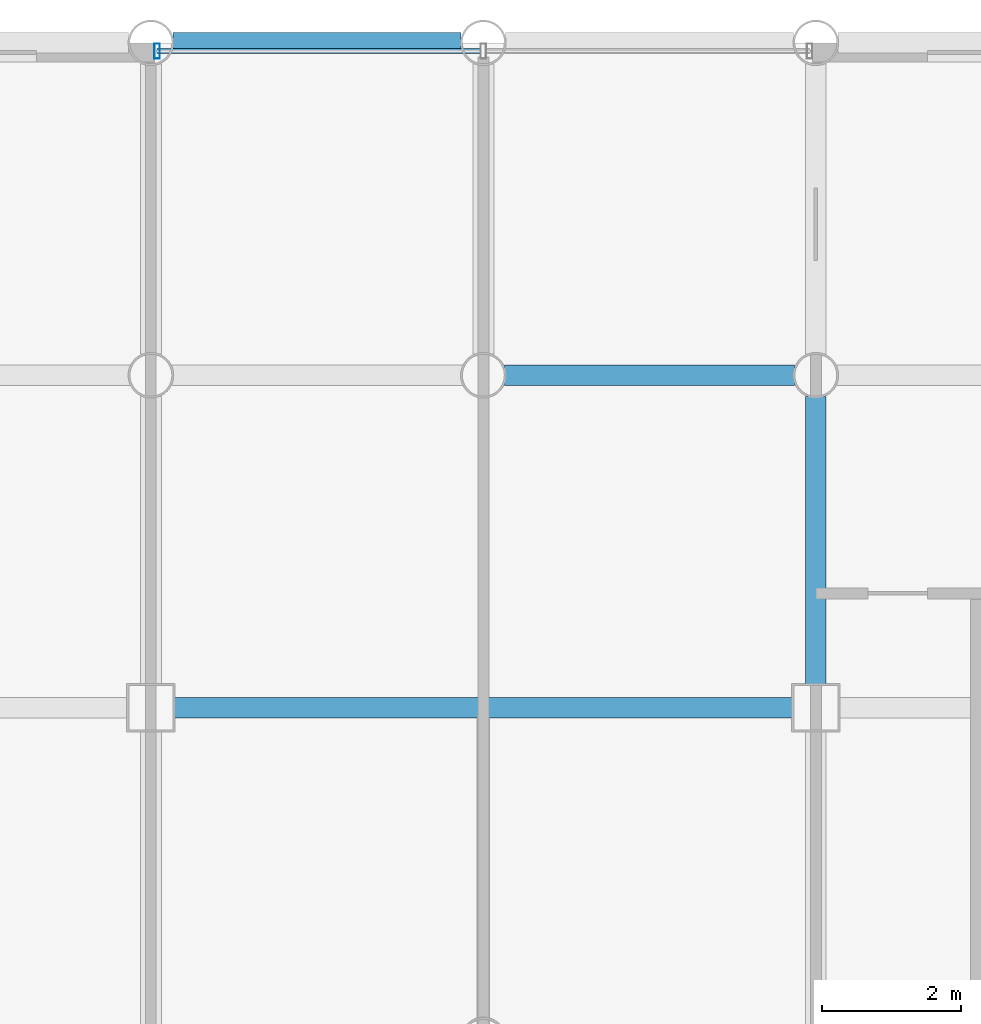
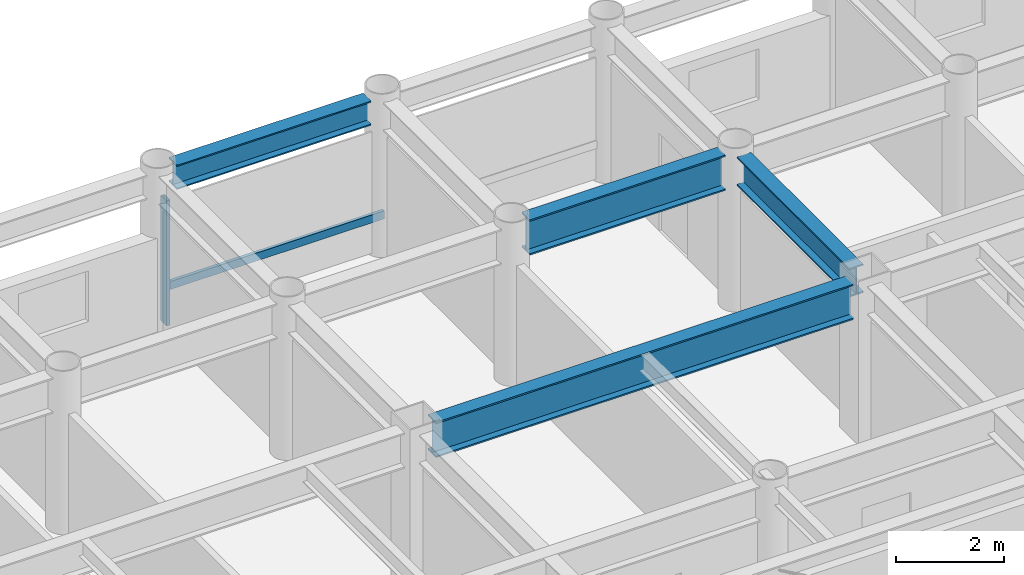
# One storey, part 12 of 20: 4 beams, 2 members, 1 element without a shape of its own.
"""IFC4 building model written with IfcOpenShell, lengths in metres."""

from ifc_helpers import new_model, si_unit, direction, frame, origin, origin_2d, place, context, subcontext, project, spatial, hollow_rectangle, i_section, extrude, material, layer, layer_set, material_profile, profile_set, type_object, element, aggregate, save


model = new_model("IFC4")

# Units and contexts
model_context = context("Model", 3, precision=1e-05, world=origin(), true_north=direction((0.0, 1.0)))
body_context = subcontext(model_context, "Body", "Model", "MODEL_VIEW")
ifc_project = project(units=[si_unit("LENGTHUNIT", "METRE"), si_unit("AREAUNIT", "SQUARE_METRE"), si_unit("VOLUMEUNIT", "CUBIC_METRE"), si_unit("PLANEANGLEUNIT", "RADIAN"), si_unit("MASSUNIT", "GRAM", prefix="KILO")], contexts=[model_context])

# Site, building, storey
site_placement = place(None, origin())
site = spatial("IfcSite", under=ifc_project, at=site_placement, CompositionType="ELEMENT")
building_placement = place(site_placement, origin())
building = spatial("IfcBuilding", under=site, at=building_placement, Name="Kallvorn Hotel Tower", CompositionType="ELEMENT")
storey_placement = place(building_placement, frame((0.0, 0.0, 135.89990234375)))
storey = spatial("IfcBuildingStorey", under=building, at=storey_placement, Name="L33", CompositionType="ELEMENT", Elevation=135.89990234375)

# Beams
ifc_material_1 = material(Name="Structural steel S355JR", Category="steel")
ifc_material_profile_1 = material_profile(ifc_material_1, i_section(OverallWidth=0.300048828125, OverallDepth=0.550048828125, WebThickness=0.014892578125, FlangeThickness=0.029052734375, at=origin_2d()), Name="HE 550 B")
ifc_profile_set_1 = profile_set([ifc_material_profile_1], Name="Structural steel S355JR")
beam_type_1 = type_object("IfcBeamType", Name="BM_HE550B", PredefinedType="SPANDREL", material=ifc_profile_set_1)
beam_1_placement = place(storey_placement, frame((-4.47998046875, 24.0, 3.2451171875), z_axis=(1.0, 0.0, 0.0), x_axis=(0.0, 1.0, 0.0)))
element("IfcBeam", 1, at=beam_1_placement, inside=storey, type_object=beam_type_1, Name="L34 Perimeter Spandrel 168", PredefinedType="SPANDREL", context=body_context, shape_type="SweptSolid", body=[
    extrude(i_section(OverallWidth=0.300048828125, OverallDepth=0.550048828125, WebThickness=0.014892578125, FlangeThickness=0.029052734375, at=origin_2d()), origin(), (0.0, 0.0, 1.0), 4.159912109375),
])
ifc_material_2 = material(Name="Structural steel S355JR", Category="steel")
ifc_material_profile_2 = material_profile(ifc_material_2, i_section(OverallWidth=0.300048828125, OverallDepth=0.64990234375, WebThickness=0.01611328125, FlangeThickness=0.031005859375, at=origin_2d()), Name="HE 650 B")
ifc_profile_set_2 = profile_set([ifc_material_profile_2], Name="Structural steel S355JR")
beam_type_2 = type_object("IfcBeamType", Name="BM_HE650B", PredefinedType="BEAM", material=ifc_profile_set_2)
beam_2_placement = place(storey_placement, frame((4.800048828125, 14.72509765625, 3.195068359375), z_axis=(0.0, 1.0, 0.0), x_axis=(-1.0, 0.0, 0.0)))
element("IfcBeam", 2, at=beam_2_placement, inside=storey, type_object=beam_type_2, Name="L34 Primary Y-Girder 117", PredefinedType="BEAM", context=body_context, shape_type="SweptSolid", body=[
    extrude(i_section(OverallWidth=0.300048828125, OverallDepth=0.64990234375, WebThickness=0.01611328125, FlangeThickness=0.031005859375, at=origin_2d()), origin(), (0.0, 0.0, 1.0), 4.169921875),
])
ifc_material_3 = material(Name="Structural steel S355JR", Category="steel")
ifc_material_profile_3 = material_profile(ifc_material_3, i_section(OverallWidth=0.300048828125, OverallDepth=0.800048828125, WebThickness=0.017578125, FlangeThickness=0.032958984375, at=origin_2d()), Name="HE 800 B")
ifc_profile_set_3 = profile_set([ifc_material_profile_3], Name="Structural steel S355JR")
beam_type_3 = type_object("IfcBeamType", Name="BM_HE800B", PredefinedType="BEAM", material=ifc_profile_set_3)
beam_3_placement = place(storey_placement, frame((-4.47509765625, 14.39990234375, 3.1201171875), z_axis=(1.0, 0.0, 0.0), x_axis=(0.0, 1.0, 0.0)))
element("IfcBeam", 3, at=beam_3_placement, inside=storey, type_object=beam_type_3, Name="L34 Primary X-Girder 55", PredefinedType="BEAM", context=body_context, shape_type="SweptSolid", body=[
    extrude(i_section(OverallWidth=0.300048828125, OverallDepth=0.800048828125, WebThickness=0.017578125, FlangeThickness=0.032958984375, at=origin_2d()), origin(), (0.0, 0.0, 1.0), 8.9501953125),
])
beam_4_placement = place(storey_placement, frame((0.304931640625, 19.199951171875, 3.1201171875), z_axis=(1.0, 0.0, 0.0), x_axis=(0.0, 1.0, 0.0)))
element("IfcBeam", 4, at=beam_4_placement, inside=storey, type_object=beam_type_3, Name="L34 Primary X-Girder 67", PredefinedType="BEAM", context=body_context, shape_type="SweptSolid", body=[
    extrude(i_section(OverallWidth=0.300048828125, OverallDepth=0.800048828125, WebThickness=0.017578125, FlangeThickness=0.032958984375, at=origin_2d()), origin(), (0.0, 0.0, 1.0), 4.190185546875),
])

# Curtain wall, members
ifc_material_4 = material(Name="Thermally broken black-anodised aluminium AA 6063-T6", Category="aluminium")
ifc_layer = layer(ifc_material_4, 0.2099609375)
ifc_layer_set = layer_set([ifc_layer], Name="CW_SYS_4_HOTEL_MID")
curtain_wall_type = type_object("IfcCurtainWallType", Name="CW_SYS_4_HOTEL_MID", PredefinedType="USERDEFINED", material=ifc_layer_set)
curtain_wall_placement = place(storey_placement, origin())
curtain_wall = element("IfcCurtainWall", 5, at=curtain_wall_placement, inside=storey, type_object=curtain_wall_type, Name="L33 Dark-Glass Curtain Wall CW-L33-NC", ObjectType="UNITISED CURTAIN WALL", PredefinedType="USERDEFINED")
ifc_material_5 = material(Name="Thermally broken black-anodised aluminium AA 6063-T6", Category="aluminium")
ifc_material_profile_4 = material_profile(ifc_material_5, hollow_rectangle(XDim=0.080078125, YDim=0.219970703125, WallThickness=0.0048828125, at=origin_2d()), Name="MUL 220x80")
ifc_profile_set_4 = profile_set([ifc_material_profile_4], Name="Thermally broken black-anodised aluminium AA 6063-T6")
member_type_1 = type_object("IfcMemberType", Name="CW_MULLION_220x80", PredefinedType="MULLION", material=ifc_profile_set_4)
member_1_placement = place(storey_placement, frame((-4.7099609375, 23.8798828125, 0.02001953125), z_axis=(0.0, 0.0, 1.0), x_axis=(1.0, 0.0, 0.0)))
member_1 = element("IfcMember", 6, at=member_1_placement, type_object=member_type_1, Name="CW-L33-NC Mullion 00", PredefinedType="MULLION", context=body_context, shape_type="SweptSolid", body=[
    extrude(hollow_rectangle(XDim=0.080078125, YDim=0.219970703125, WallThickness=0.0048828125, at=origin_2d()), origin(), (0.0, 0.0, 1.0), 2.830078125),
])
ifc_material_6 = material(Name="Thermally broken black-anodised aluminium AA 6063-T6", Category="aluminium")
ifc_material_profile_5 = material_profile(ifc_material_6, hollow_rectangle(XDim=0.070068359375, YDim=0.179931640625, WallThickness=0.00390625, at=origin_2d()), Name="TRN 180x70")
ifc_profile_set_5 = profile_set([ifc_material_profile_5], Name="Thermally broken black-anodised aluminium AA 6063-T6")
member_type_2 = type_object("IfcMemberType", Name="CW_TRANSOM_180x70", PredefinedType="USERDEFINED", material=ifc_profile_set_5)
member_2_placement = place(storey_placement, frame((-4.7099609375, 23.8798828125, 0.85009765625), z_axis=(1.0, 0.0, 0.0), x_axis=(0.0, 1.0, 0.0)))
member_2 = element("IfcMember", 7, at=member_2_placement, type_object=member_type_2, Name="CW-L33-NC Transom 00M", ObjectType="TRANSOM", PredefinedType="USERDEFINED", context=body_context, shape_type="SweptSolid", body=[
    extrude(hollow_rectangle(XDim=0.070068359375, YDim=0.179931640625, WallThickness=0.00390625, at=origin_2d()), origin(), (0.0, 0.0, 1.0), 4.669921875),
])
aggregate(curtain_wall, [member_1, member_2])

save(model, "model.ifc")
